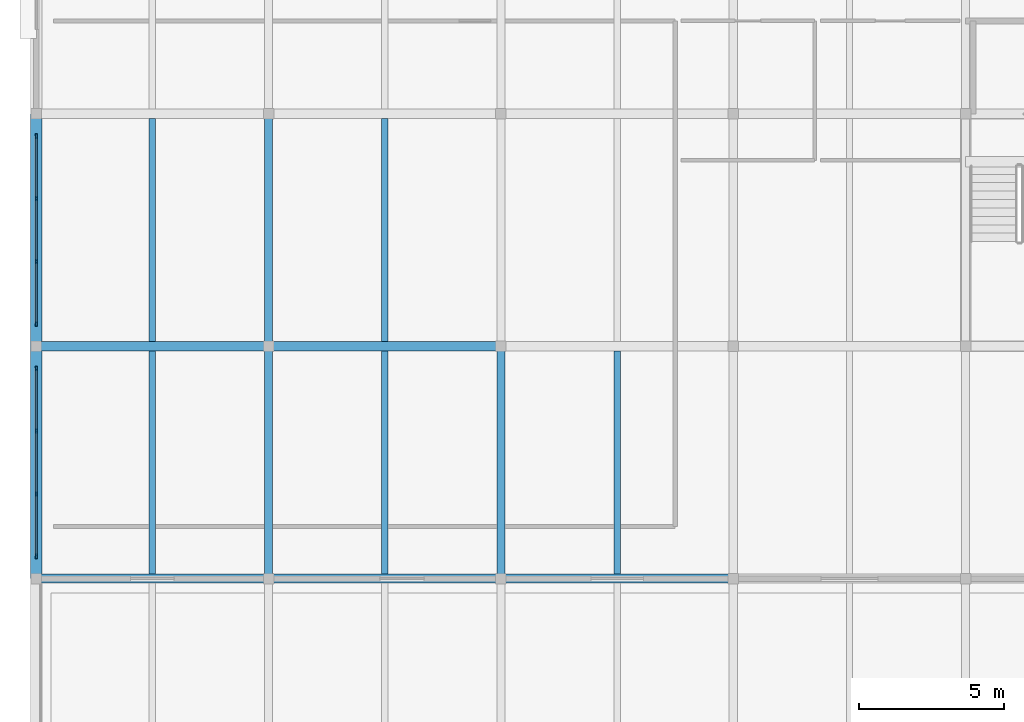
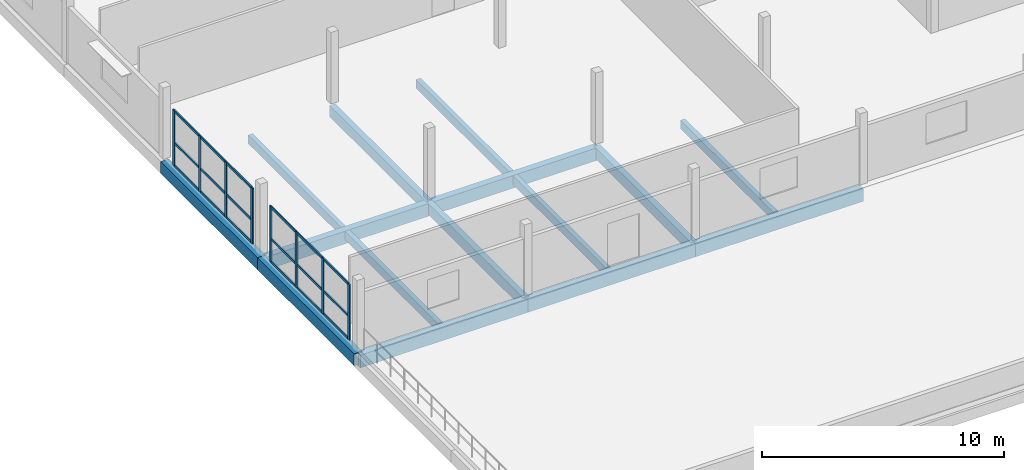
# One storey, part 4 of 25: 26 members, 15 beams, 2 elements without a shape of their own.
"""IFC4 building model written with IfcOpenShell, lengths in metres."""

from ifc_helpers import new_model, si_unit, direction, frame, origin, origin_2d, place, context, subcontext, project, spatial, rectangle, extrude, material, material_profile, profile_set, type_object, element, aggregate, save


model = new_model("IFC4")

# Units and contexts
model_context = context("Model", 3, precision=1e-05, world=origin(), true_north=direction((0.0, 1.0)))
body_context = subcontext(model_context, "Body", "Model", "MODEL_VIEW")
ifc_project = project(units=[si_unit("LENGTHUNIT", "METRE"), si_unit("AREAUNIT", "SQUARE_METRE"), si_unit("VOLUMEUNIT", "CUBIC_METRE"), si_unit("PLANEANGLEUNIT", "RADIAN"), si_unit("MASSUNIT", "GRAM", prefix="KILO")], contexts=[model_context])

# Site, building, storey
site_placement = place(None, origin())
site = spatial("IfcSite", under=ifc_project, at=site_placement, CompositionType="ELEMENT")
building_placement = place(site_placement, origin())
building = spatial("IfcBuilding", under=site, at=building_placement, Name="Vharandega Faculty of Natural Sciences", CompositionType="ELEMENT")
storey_placement = place(building_placement, frame((0.0, 0.0, 25.199951171875)))
storey = spatial("IfcBuildingStorey", under=building, at=storey_placement, Name="L06", CompositionType="ELEMENT", Elevation=25.199951171875)

# Curtain wall, members
ifc_material_1 = material(Name="Aluminium and solar-control glass curtain wall", Category="aluminium")
curtain_wall_type_1 = type_object("IfcCurtainWallType", Name="Unitised Curtain Wall System CW-20", PredefinedType="NOTDEFINED", material=ifc_material_1)
curtain_wall_1_placement = place(storey_placement, origin())
curtain_wall_1 = element("IfcCurtainWall", 1, at=curtain_wall_1_placement, inside=storey, type_object=curtain_wall_type_1, Name="Curtain Wall CW-L06-215", PredefinedType="NOTDEFINED")
ifc_material_2 = material(Name="Thermally broken aluminium 6063-T6", Category="aluminium")
ifc_material_profile_1 = material_profile(ifc_material_2, rectangle(XDim=0.06005859375, YDim=0.159912109375, at=origin_2d()), Name="ALU 60x160")
ifc_profile_set_1 = profile_set([ifc_material_profile_1], Name="Thermally broken aluminium 6063-T6")
member_type_1 = type_object("IfcMemberType", Name="CW Mullion 60x160", PredefinedType="MULLION", material=ifc_profile_set_1)
member_1_placement = place(storey_placement, frame((0.0, 32.77001953125, 0.0), z_axis=(0.0, 0.0, 1.0), x_axis=(-1.0, 0.0, 0.0)))
member_1 = element("IfcMember", 2, at=member_1_placement, type_object=member_type_1, Name="CW-20 mullion 1", PredefinedType="MULLION", context=body_context, shape_type="SweptSolid", body=[
    extrude(rectangle(XDim=0.06005859375, YDim=0.159912109375, at=origin_2d()), origin(), (0.0, 0.0, 1.0), 2.800048828125),
])
member_2_placement = place(storey_placement, frame((0.0, 34.913330078125, 0.0), z_axis=(0.0, 0.0, 1.0), x_axis=(-1.0, 0.0, 0.0)))
member_2 = element("IfcMember", 3, at=member_2_placement, type_object=member_type_1, Name="CW-20 mullion 2", PredefinedType="MULLION", context=body_context, shape_type="SweptSolid", body=[
    extrude(rectangle(XDim=0.06005859375, YDim=0.159912109375, at=origin_2d()), origin(), (0.0, 0.0, 1.0), 2.800048828125),
])
member_3_placement = place(storey_placement, frame((0.0, 37.086669921875, 0.0), z_axis=(0.0, 0.0, 1.0), x_axis=(-1.0, 0.0, 0.0)))
member_3 = element("IfcMember", 4, at=member_3_placement, type_object=member_type_1, Name="CW-20 mullion 3", PredefinedType="MULLION", context=body_context, shape_type="SweptSolid", body=[
    extrude(rectangle(XDim=0.06005859375, YDim=0.159912109375, at=origin_2d()), origin(), (0.0, 0.0, 1.0), 2.800048828125),
])
member_4_placement = place(storey_placement, frame((0.0, 39.22998046875, 0.0), z_axis=(0.0, 0.0, 1.0), x_axis=(-1.0, 0.0, 0.0)))
member_4 = element("IfcMember", 5, at=member_4_placement, type_object=member_type_1, Name="CW-20 mullion 4", PredefinedType="MULLION", context=body_context, shape_type="SweptSolid", body=[
    extrude(rectangle(XDim=0.06005859375, YDim=0.159912109375, at=origin_2d()), origin(), (0.0, 0.0, 1.0), 2.800048828125),
])

ifc_material_3 = material(Name="Aluminium and solar-control glass curtain wall", Category="aluminium")
curtain_wall_type_2 = type_object("IfcCurtainWallType", Name="Unitised Curtain Wall System CW-21", PredefinedType="NOTDEFINED", material=ifc_material_3)
curtain_wall_2_placement = place(storey_placement, origin())
curtain_wall_2 = element("IfcCurtainWall", 6, at=curtain_wall_2_placement, inside=storey, type_object=curtain_wall_type_2, Name="Curtain Wall CW-L06-216", PredefinedType="NOTDEFINED")
member_5_placement = place(storey_placement, frame((0.0, 40.77001953125, 0.0), z_axis=(0.0, 0.0, 1.0), x_axis=(-1.0, 0.0, 0.0)))
member_5 = element("IfcMember", 7, at=member_5_placement, type_object=member_type_1, Name="CW-21 mullion 1", PredefinedType="MULLION", context=body_context, shape_type="SweptSolid", body=[
    extrude(rectangle(XDim=0.06005859375, YDim=0.159912109375, at=origin_2d()), origin(), (0.0, 0.0, 1.0), 2.800048828125),
])
member_6_placement = place(storey_placement, frame((0.0, 42.913330078125, 0.0), z_axis=(0.0, 0.0, 1.0), x_axis=(-1.0, 0.0, 0.0)))
member_6 = element("IfcMember", 8, at=member_6_placement, type_object=member_type_1, Name="CW-21 mullion 2", PredefinedType="MULLION", context=body_context, shape_type="SweptSolid", body=[
    extrude(rectangle(XDim=0.06005859375, YDim=0.159912109375, at=origin_2d()), origin(), (0.0, 0.0, 1.0), 2.800048828125),
])
member_7_placement = place(storey_placement, frame((0.0, 45.086669921875, 0.0), z_axis=(0.0, 0.0, 1.0), x_axis=(-1.0, 0.0, 0.0)))
member_7 = element("IfcMember", 9, at=member_7_placement, type_object=member_type_1, Name="CW-21 mullion 3", PredefinedType="MULLION", context=body_context, shape_type="SweptSolid", body=[
    extrude(rectangle(XDim=0.06005859375, YDim=0.159912109375, at=origin_2d()), origin(), (0.0, 0.0, 1.0), 2.800048828125),
])
member_8_placement = place(storey_placement, frame((0.0, 47.22998046875, 0.0), z_axis=(0.0, 0.0, 1.0), x_axis=(-1.0, 0.0, 0.0)))
member_8 = element("IfcMember", 10, at=member_8_placement, type_object=member_type_1, Name="CW-21 mullion 4", PredefinedType="MULLION", context=body_context, shape_type="SweptSolid", body=[
    extrude(rectangle(XDim=0.06005859375, YDim=0.159912109375, at=origin_2d()), origin(), (0.0, 0.0, 1.0), 2.800048828125),
])

# Member
ifc_material_4 = material(Name="Thermally broken aluminium 6063-T6", Category="aluminium")
ifc_material_profile_2 = material_profile(ifc_material_4, rectangle(XDim=0.06005859375, YDim=0.1201171875, at=origin_2d()), Name="ALU 60x120")
ifc_profile_set_2 = profile_set([ifc_material_profile_2], Name="Thermally broken aluminium 6063-T6")
member_type_2 = type_object("IfcMemberType", Name="CW Transom 60x120", PredefinedType="USERDEFINED", material=ifc_profile_set_2)
member_9_placement = place(storey_placement, frame((0.0, 32.800048828125, 0.030029296875), z_axis=(0.0, 1.0, 0.0), x_axis=(-1.0, 0.0, 0.0)))
member_9 = element("IfcMember", 11, at=member_9_placement, type_object=member_type_2, Name="CW-20 transom 1.1", ObjectType="TRANSOM", PredefinedType="USERDEFINED", context=body_context, shape_type="SweptSolid", body=[
    extrude(rectangle(XDim=0.06005859375, YDim=0.1201171875, at=origin_2d()), origin(), (0.0, 0.0, 1.0), 2.083251953125),
])

member_10_placement = place(storey_placement, frame((0.0, 32.800048828125, 1.176025390625), z_axis=(0.0, 1.0, 0.0), x_axis=(-1.0, 0.0, 0.0)))
member_10 = element("IfcMember", 12, at=member_10_placement, type_object=member_type_2, Name="CW-20 transom 1.2", ObjectType="TRANSOM", PredefinedType="USERDEFINED", context=body_context, shape_type="SweptSolid", body=[
    extrude(rectangle(XDim=0.06005859375, YDim=0.1201171875, at=origin_2d()), origin(), (0.0, 0.0, 1.0), 2.083251953125),
])

member_11_placement = place(storey_placement, frame((0.0, 32.800048828125, 2.77001953125), z_axis=(0.0, 1.0, 0.0), x_axis=(-1.0, 0.0, 0.0)))
member_11 = element("IfcMember", 13, at=member_11_placement, type_object=member_type_2, Name="CW-20 transom 1.3", ObjectType="TRANSOM", PredefinedType="USERDEFINED", context=body_context, shape_type="SweptSolid", body=[
    extrude(rectangle(XDim=0.06005859375, YDim=0.1201171875, at=origin_2d()), origin(), (0.0, 0.0, 1.0), 2.083251953125),
])

member_12_placement = place(storey_placement, frame((0.0, 34.943359375, 0.030029296875), z_axis=(0.0, 1.0, 0.0), x_axis=(-1.0, 0.0, 0.0)))
member_12 = element("IfcMember", 14, at=member_12_placement, type_object=member_type_2, Name="CW-20 transom 2.1", ObjectType="TRANSOM", PredefinedType="USERDEFINED", context=body_context, shape_type="SweptSolid", body=[
    extrude(rectangle(XDim=0.06005859375, YDim=0.1201171875, at=origin_2d()), origin(), (0.0, 0.0, 1.0), 2.11328125),
])

member_13_placement = place(storey_placement, frame((0.0, 34.943359375, 1.176025390625), z_axis=(0.0, 1.0, 0.0), x_axis=(-1.0, 0.0, 0.0)))
member_13 = element("IfcMember", 15, at=member_13_placement, type_object=member_type_2, Name="CW-20 transom 2.2", ObjectType="TRANSOM", PredefinedType="USERDEFINED", context=body_context, shape_type="SweptSolid", body=[
    extrude(rectangle(XDim=0.06005859375, YDim=0.1201171875, at=origin_2d()), origin(), (0.0, 0.0, 1.0), 2.11328125),
])

member_14_placement = place(storey_placement, frame((0.0, 34.943359375, 2.77001953125), z_axis=(0.0, 1.0, 0.0), x_axis=(-1.0, 0.0, 0.0)))
member_14 = element("IfcMember", 16, at=member_14_placement, type_object=member_type_2, Name="CW-20 transom 2.3", ObjectType="TRANSOM", PredefinedType="USERDEFINED", context=body_context, shape_type="SweptSolid", body=[
    extrude(rectangle(XDim=0.06005859375, YDim=0.1201171875, at=origin_2d()), origin(), (0.0, 0.0, 1.0), 2.11328125),
])

member_15_placement = place(storey_placement, frame((0.0, 37.11669921875, 0.030029296875), z_axis=(0.0, 1.0, 0.0), x_axis=(-1.0, 0.0, 0.0)))
member_15 = element("IfcMember", 17, at=member_15_placement, type_object=member_type_2, Name="CW-20 transom 3.1", ObjectType="TRANSOM", PredefinedType="USERDEFINED", context=body_context, shape_type="SweptSolid", body=[
    extrude(rectangle(XDim=0.06005859375, YDim=0.1201171875, at=origin_2d()), origin(), (0.0, 0.0, 1.0), 2.083251953125),
])

member_16_placement = place(storey_placement, frame((0.0, 37.11669921875, 1.176025390625), z_axis=(0.0, 1.0, 0.0), x_axis=(-1.0, 0.0, 0.0)))
member_16 = element("IfcMember", 18, at=member_16_placement, type_object=member_type_2, Name="CW-20 transom 3.2", ObjectType="TRANSOM", PredefinedType="USERDEFINED", context=body_context, shape_type="SweptSolid", body=[
    extrude(rectangle(XDim=0.06005859375, YDim=0.1201171875, at=origin_2d()), origin(), (0.0, 0.0, 1.0), 2.083251953125),
])

member_17_placement = place(storey_placement, frame((0.0, 37.11669921875, 2.77001953125), z_axis=(0.0, 1.0, 0.0), x_axis=(-1.0, 0.0, 0.0)))
member_17 = element("IfcMember", 19, at=member_17_placement, type_object=member_type_2, Name="CW-20 transom 3.3", ObjectType="TRANSOM", PredefinedType="USERDEFINED", context=body_context, shape_type="SweptSolid", body=[
    extrude(rectangle(XDim=0.06005859375, YDim=0.1201171875, at=origin_2d()), origin(), (0.0, 0.0, 1.0), 2.083251953125),
])

aggregate(curtain_wall_1, [member_1, member_2, member_3, member_4, member_9, member_10, member_11, member_12, member_13, member_14, member_15, member_16, member_17])

member_18_placement = place(storey_placement, frame((0.0, 40.800048828125, 0.030029296875), z_axis=(0.0, 1.0, 0.0), x_axis=(-1.0, 0.0, 0.0)))
member_18 = element("IfcMember", 20, at=member_18_placement, type_object=member_type_2, Name="CW-21 transom 1.1", ObjectType="TRANSOM", PredefinedType="USERDEFINED", context=body_context, shape_type="SweptSolid", body=[
    extrude(rectangle(XDim=0.06005859375, YDim=0.1201171875, at=origin_2d()), origin(), (0.0, 0.0, 1.0), 2.083251953125),
])

member_19_placement = place(storey_placement, frame((0.0, 40.800048828125, 1.176025390625), z_axis=(0.0, 1.0, 0.0), x_axis=(-1.0, 0.0, 0.0)))
member_19 = element("IfcMember", 21, at=member_19_placement, type_object=member_type_2, Name="CW-21 transom 1.2", ObjectType="TRANSOM", PredefinedType="USERDEFINED", context=body_context, shape_type="SweptSolid", body=[
    extrude(rectangle(XDim=0.06005859375, YDim=0.1201171875, at=origin_2d()), origin(), (0.0, 0.0, 1.0), 2.083251953125),
])

member_20_placement = place(storey_placement, frame((0.0, 40.800048828125, 2.77001953125), z_axis=(0.0, 1.0, 0.0), x_axis=(-1.0, 0.0, 0.0)))
member_20 = element("IfcMember", 22, at=member_20_placement, type_object=member_type_2, Name="CW-21 transom 1.3", ObjectType="TRANSOM", PredefinedType="USERDEFINED", context=body_context, shape_type="SweptSolid", body=[
    extrude(rectangle(XDim=0.06005859375, YDim=0.1201171875, at=origin_2d()), origin(), (0.0, 0.0, 1.0), 2.083251953125),
])

member_21_placement = place(storey_placement, frame((0.0, 42.943359375, 0.030029296875), z_axis=(0.0, 1.0, 0.0), x_axis=(-1.0, 0.0, 0.0)))
member_21 = element("IfcMember", 23, at=member_21_placement, type_object=member_type_2, Name="CW-21 transom 2.1", ObjectType="TRANSOM", PredefinedType="USERDEFINED", context=body_context, shape_type="SweptSolid", body=[
    extrude(rectangle(XDim=0.06005859375, YDim=0.1201171875, at=origin_2d()), origin(), (0.0, 0.0, 1.0), 2.11328125),
])

member_22_placement = place(storey_placement, frame((0.0, 42.943359375, 1.176025390625), z_axis=(0.0, 1.0, 0.0), x_axis=(-1.0, 0.0, 0.0)))
member_22 = element("IfcMember", 24, at=member_22_placement, type_object=member_type_2, Name="CW-21 transom 2.2", ObjectType="TRANSOM", PredefinedType="USERDEFINED", context=body_context, shape_type="SweptSolid", body=[
    extrude(rectangle(XDim=0.06005859375, YDim=0.1201171875, at=origin_2d()), origin(), (0.0, 0.0, 1.0), 2.11328125),
])

member_23_placement = place(storey_placement, frame((0.0, 42.943359375, 2.77001953125), z_axis=(0.0, 1.0, 0.0), x_axis=(-1.0, 0.0, 0.0)))
member_23 = element("IfcMember", 25, at=member_23_placement, type_object=member_type_2, Name="CW-21 transom 2.3", ObjectType="TRANSOM", PredefinedType="USERDEFINED", context=body_context, shape_type="SweptSolid", body=[
    extrude(rectangle(XDim=0.06005859375, YDim=0.1201171875, at=origin_2d()), origin(), (0.0, 0.0, 1.0), 2.11328125),
])

member_24_placement = place(storey_placement, frame((0.0, 45.11669921875, 0.030029296875), z_axis=(0.0, 1.0, 0.0), x_axis=(-1.0, 0.0, 0.0)))
member_24 = element("IfcMember", 26, at=member_24_placement, type_object=member_type_2, Name="CW-21 transom 3.1", ObjectType="TRANSOM", PredefinedType="USERDEFINED", context=body_context, shape_type="SweptSolid", body=[
    extrude(rectangle(XDim=0.06005859375, YDim=0.1201171875, at=origin_2d()), origin(), (0.0, 0.0, 1.0), 2.083251953125),
])

member_25_placement = place(storey_placement, frame((0.0, 45.11669921875, 1.176025390625), z_axis=(0.0, 1.0, 0.0), x_axis=(-1.0, 0.0, 0.0)))
member_25 = element("IfcMember", 27, at=member_25_placement, type_object=member_type_2, Name="CW-21 transom 3.2", ObjectType="TRANSOM", PredefinedType="USERDEFINED", context=body_context, shape_type="SweptSolid", body=[
    extrude(rectangle(XDim=0.06005859375, YDim=0.1201171875, at=origin_2d()), origin(), (0.0, 0.0, 1.0), 2.083251953125),
])

member_26_placement = place(storey_placement, frame((0.0, 45.11669921875, 2.77001953125), z_axis=(0.0, 1.0, 0.0), x_axis=(-1.0, 0.0, 0.0)))
member_26 = element("IfcMember", 28, at=member_26_placement, type_object=member_type_2, Name="CW-21 transom 3.3", ObjectType="TRANSOM", PredefinedType="USERDEFINED", context=body_context, shape_type="SweptSolid", body=[
    extrude(rectangle(XDim=0.06005859375, YDim=0.1201171875, at=origin_2d()), origin(), (0.0, 0.0, 1.0), 2.083251953125),
])

aggregate(curtain_wall_2, [member_5, member_6, member_7, member_8, member_18, member_19, member_20, member_21, member_22, member_23, member_24, member_25, member_26])

# Beams
ifc_material_5 = material(Name="Glulam GL28h", Category="wood")
ifc_material_profile_3 = material_profile(ifc_material_5, rectangle(XDim=0.280029296875, YDim=0.56005859375, at=origin_2d()), Name="GL28h 280x560")
ifc_profile_set_3 = profile_set([ifc_material_profile_3], Name="Glulam GL28h")
beam_type_1 = type_object("IfcBeamType", Name="Glulam Floor Beam 280x560", PredefinedType="BEAM", material=ifc_profile_set_3)
for number, where, z_axis, x_axis, name in (
    (29, (8.0, 32.0, -0.47998046875), (0.0, 1.0, 0.0), (-1.0, 0.0, 0.0), "Beam L06 2/E-F"),
    (30, (8.0, 40.0, -0.47998046875), (0.0, 1.0, 0.0), (-1.0, 0.0, 0.0), "Beam L06 2/F-G"),
    (31, (16.0, 32.0, -0.47998046875), (0.0, 1.0, 0.0), (-1.0, 0.0, 0.0), "Beam L06 3/E-F"),
):
    element("IfcBeam", number, at=place(storey_placement, frame(where, z_axis=z_axis, x_axis=x_axis)), inside=storey, type_object=beam_type_1, Name=name, PredefinedType="BEAM", context=body_context, shape_type="SweptSolid", body=[
        extrude(rectangle(XDim=0.280029296875, YDim=0.56005859375, at=origin_2d()), origin(), (0.0, 0.0, 1.0), 8.0),
    ])
ifc_material_6 = material(Name="Glulam GL28h", Category="wood")
ifc_material_profile_4 = material_profile(ifc_material_6, rectangle(XDim=0.320068359375, YDim=0.639892578125, at=origin_2d()), Name="GL28h 320x640")
ifc_profile_set_4 = profile_set([ifc_material_profile_4], Name="Glulam GL28h")
beam_type_2 = type_object("IfcBeamType", Name="Glulam Floor Beam 320x640", PredefinedType="BEAM", material=ifc_profile_set_4)
for number, where, z_axis, x_axis, name in (
    (32, (0.0, 32.0, -0.56005859375), (1.0, 0.0, 0.0), (0.0, 1.0, 0.0), "Beam L06 E/1-2"),
    (33, (8.0, 32.0, -0.56005859375), (1.0, 0.0, 0.0), (0.0, 1.0, 0.0), "Beam L06 E/2-3"),
    (34, (16.0, 32.0, -0.56005859375), (1.0, 0.0, 0.0), (0.0, 1.0, 0.0), "Beam L06 E/3-4"),
    (35, (0.0, 40.0, -0.52001953125), (1.0, 0.0, 0.0), (0.0, 1.0, 0.0), "Beam L06 F/1-2"),
    (36, (8.0, 40.0, -0.52001953125), (1.0, 0.0, 0.0), (0.0, 1.0, 0.0), "Beam L06 F/2-3"),
):
    element("IfcBeam", number, at=place(storey_placement, frame(where, z_axis=z_axis, x_axis=x_axis)), inside=storey, type_object=beam_type_2, Name=name, PredefinedType="BEAM", context=body_context, shape_type="SweptSolid", body=[
        extrude(rectangle(XDim=0.320068359375, YDim=0.639892578125, at=origin_2d()), origin(), (0.0, 0.0, 1.0), 8.0),
    ])
ifc_material_7 = material(Name="Glulam GL28h", Category="wood")
ifc_material_profile_5 = material_profile(ifc_material_7, rectangle(XDim=0.219970703125, YDim=0.43994140625, at=origin_2d()), Name="GL28h 220x440")
ifc_profile_set_5 = profile_set([ifc_material_profile_5], Name="Glulam GL28h")
beam_type_3 = type_object("IfcBeamType", Name="Glulam Secondary Joist 220x440", PredefinedType="JOIST", material=ifc_profile_set_5)
for number, where, z_axis, x_axis, name in (
    (37, (4.0, 32.159912109375, -0.419921875), (0.0, 1.0, 0.0), (-1.0, 0.0, 0.0), "Secondary Joist L06 1-2/E-F"),
    (38, (4.0, 40.159912109375, -0.419921875), (0.0, 1.0, 0.0), (-1.0, 0.0, 0.0), "Secondary Joist L06 1-2/F-G"),
    (39, (12.0, 32.159912109375, -0.419921875), (0.0, 1.0, 0.0), (-1.0, 0.0, 0.0), "Secondary Joist L06 2-3/E-F"),
    (40, (12.0, 40.159912109375, -0.419921875), (0.0, 1.0, 0.0), (-1.0, 0.0, 0.0), "Secondary Joist L06 2-3/F-G"),
    (41, (20.0, 32.159912109375, -0.419921875), (0.0, 1.0, 0.0), (-1.0, 0.0, 0.0), "Secondary Joist L06 3-4/E-F"),
):
    element("IfcBeam", number, at=place(storey_placement, frame(where, z_axis=z_axis, x_axis=x_axis)), inside=storey, type_object=beam_type_3, Name=name, PredefinedType="JOIST", context=body_context, shape_type="SweptSolid", body=[
        extrude(rectangle(XDim=0.219970703125, YDim=0.43994140625, at=origin_2d()), origin(), (0.0, 0.0, 1.0), 7.68017578125),
    ])
ifc_material_8 = material(Name="Glulam GL32h", Category="wood")
ifc_material_profile_6 = material_profile(ifc_material_8, rectangle(XDim=0.39990234375, YDim=0.60009765625, at=origin_2d()), Name="GL32h 400x600")
ifc_profile_set_6 = profile_set([ifc_material_profile_6], Name="Glulam GL32h")
beam_type_4 = type_object("IfcBeamType", Name="Glulam Spine Girder 400x600", PredefinedType="BEAM", material=ifc_profile_set_6)
for number, where, z_axis, x_axis, name in (
    (42, (0.0, 32.0, -0.5), (0.0, 1.0, 0.0), (-1.0, 0.0, 0.0), "Beam L06 1/E-F"),
    (43, (0.0, 40.0, -0.5), (0.0, 1.0, 0.0), (-1.0, 0.0, 0.0), "Beam L06 1/F-G"),
):
    element("IfcBeam", number, at=place(storey_placement, frame(where, z_axis=z_axis, x_axis=x_axis)), inside=storey, type_object=beam_type_4, Name=name, PredefinedType="BEAM", context=body_context, shape_type="SweptSolid", body=[
        extrude(rectangle(XDim=0.39990234375, YDim=0.60009765625, at=origin_2d()), origin(), (0.0, 0.0, 1.0), 8.0),
    ])

save(model, "model.ifc")
